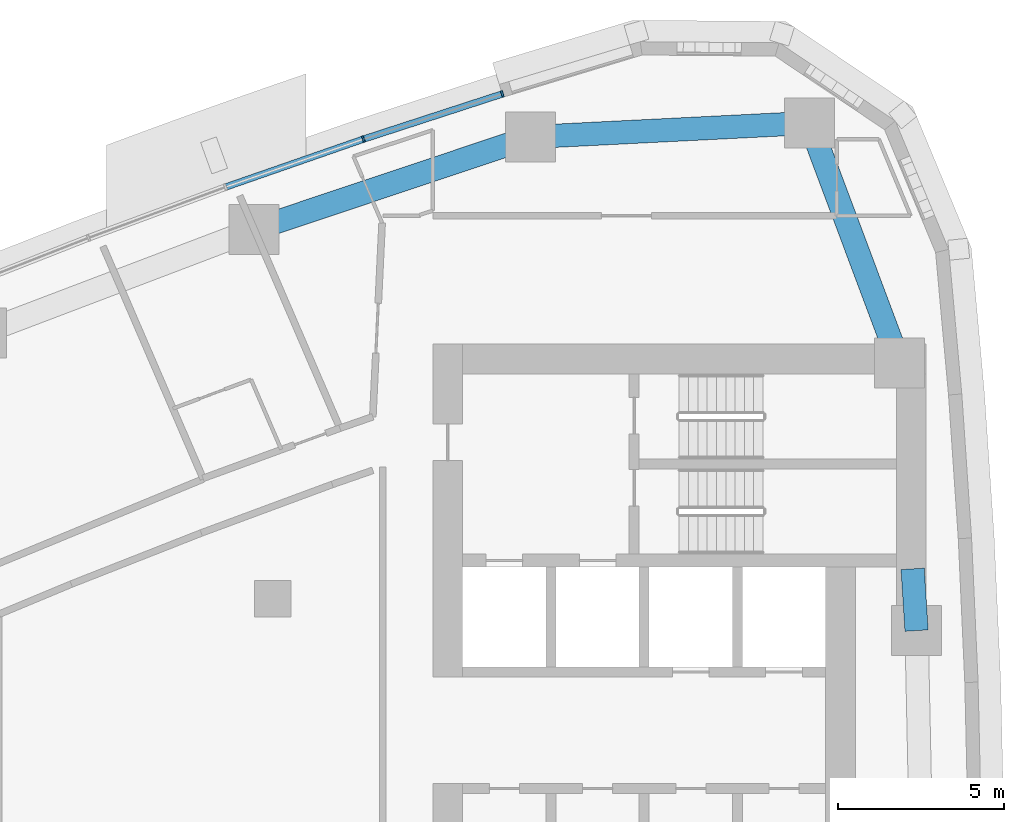
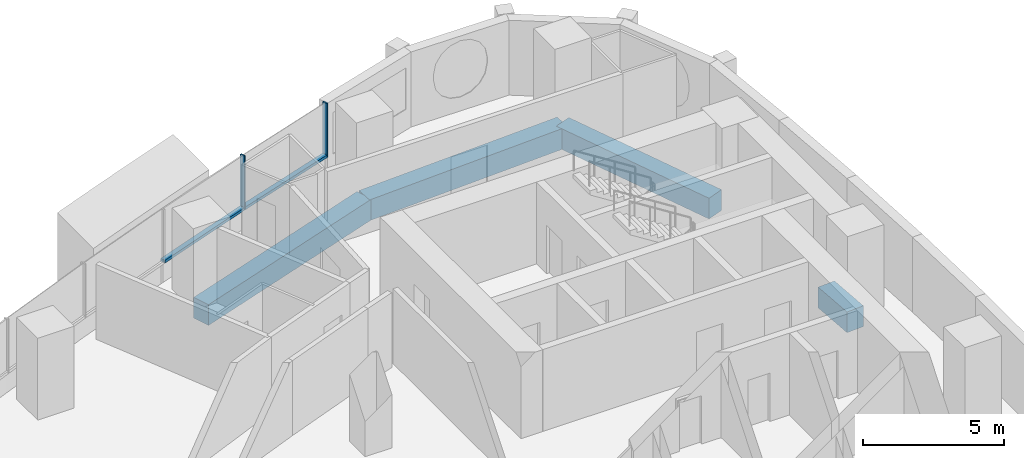
# One storey, part 6 of 16: 4 beams, 4 members, 1 element without a shape of its own.
"""IFC4 building model written with IfcOpenShell, lengths in metres."""

from ifc_helpers import new_model, si_unit, direction, frame, origin, origin_2d, place, context, subcontext, project, spatial, rectangle, extrude, material, layer, layer_set, material_profile, profile_set, type_object, element, aggregate, save


model = new_model("IFC4")

# Units and contexts
model_context = context("Model", 3, precision=1e-05, world=origin(), true_north=direction((0.0, 1.0)))
body_context = subcontext(model_context, "Body", "Model", "MODEL_VIEW")
ifc_project = project(units=[si_unit("LENGTHUNIT", "METRE"), si_unit("AREAUNIT", "SQUARE_METRE"), si_unit("VOLUMEUNIT", "CUBIC_METRE"), si_unit("PLANEANGLEUNIT", "RADIAN"), si_unit("MASSUNIT", "GRAM", prefix="KILO")], contexts=[model_context])

# Site, building, storey
site_placement = place(None, origin())
site = spatial("IfcSite", under=ifc_project, at=site_placement, CompositionType="ELEMENT")
building_placement = place(site_placement, origin())
building = spatial("IfcBuilding", under=site, at=building_placement, Name="Ostrand Prow Hotel Tower", CompositionType="ELEMENT")
storey_placement = place(building_placement, frame((0.0, 0.0, 147.949951171875)))
storey = spatial("IfcBuildingStorey", under=building, at=storey_placement, Name="L36", CompositionType="ELEMENT", Elevation=147.949951171875)

# Beams
ifc_material_1 = material(Name="Concrete C70/85", Category="concrete")
ifc_material_profile_1 = material_profile(ifc_material_1, rectangle(XDim=0.699951171875, YDim=0.89990234375, at=origin_2d()), Name="RC 700x900")
ifc_profile_set_1 = profile_set([ifc_material_profile_1], Name="Concrete C70/85")
beam_type = type_object("IfcBeamType", Name="Edge beam 700x900 C70/85", PredefinedType="SPANDREL", material=ifc_profile_set_1)
beam_1_placement = place(storey_placement, frame((64.32958984375, 8.044677734375, -0.75), z_axis=(-0.063563790544, 0.997977777574, 0.0), x_axis=(-0.997977777574, -0.063563790544, 0.0)))
element("IfcBeam", 1, at=beam_1_placement, inside=storey, type_object=beam_type, Name="Edge beam B4-B5", PredefinedType="SPANDREL", context=body_context, shape_type="SweptSolid", body=[
    extrude(rectangle(XDim=0.699951171875, YDim=0.89990234375, at=origin_2d()), origin(), (0.0, 0.0, 1.0), 1.85888671875),
])
beam_2_placement = place(storey_placement, frame((63.584716796875, 16.699951171875, -0.75), z_axis=(-0.350602524344, 0.93652435629, 0.0), x_axis=(-0.93652435629, -0.350602524344, 0.0)))
element("IfcBeam", 2, at=beam_2_placement, inside=storey, type_object=beam_type, Name="Edge beam B5-NE", PredefinedType="SPANDREL", context=body_context, shape_type="SweptSolid", body=[
    extrude(rectangle(XDim=0.699951171875, YDim=0.89990234375, at=origin_2d()), origin(), (0.0, 0.0, 1.0), 7.037353515625),
])
beam_3_placement = place(storey_placement, frame((61.117431640625, 23.29052734375, -0.75), z_axis=(-0.99873741544, -0.050235196825, 0.0), x_axis=(0.050235196825, -0.99873741544, 0.0)))
element("IfcBeam", 3, at=beam_3_placement, inside=storey, type_object=beam_type, Name="Edge beam NE-N1", PredefinedType="SPANDREL", context=body_context, shape_type="SweptSolid", body=[
    extrude(rectangle(XDim=0.699951171875, YDim=0.89990234375, at=origin_2d()), origin(), (0.0, 0.0, 1.0), 8.38818359375),
])
beam_4_placement = place(storey_placement, frame((52.73974609375, 22.869140625, -0.75), z_axis=(-0.948376051094, -0.317148018616, 0.0), x_axis=(0.317148018616, -0.948376051094, 0.0)))
element("IfcBeam", 4, at=beam_4_placement, inside=storey, type_object=beam_type, Name="Edge beam N1-N2", PredefinedType="SPANDREL", context=body_context, shape_type="SweptSolid", body=[
    extrude(rectangle(XDim=0.699951171875, YDim=0.89990234375, at=origin_2d()), origin(), (0.0, 0.0, 1.0), 8.75341796875),
])

# Curtain wall, members
ifc_material_2 = material(Name="Insulated glass in bronze anodised frame", Category="glass")
ifc_layer = layer(ifc_material_2, 0.199951171875)
ifc_layer_set = layer_set([ifc_layer], Name="Insulated glass in bronze anodised frame")
curtain_wall_type = type_object("IfcCurtainWallType", Name="Strip curtain wall, fritted glass over bronze spandrel", PredefinedType="NOTDEFINED", material=ifc_layer_set)
curtain_wall_placement = place(storey_placement, origin())
curtain_wall = element("IfcCurtainWall", 5, at=curtain_wall_placement, inside=storey, type_object=curtain_wall_type, Name="CW1 run CWN1", PredefinedType="NOTDEFINED")
ifc_material_3 = material(Name="Bronze anodised aluminium", Category="aluminium")
ifc_material_profile_2 = material_profile(ifc_material_3, rectangle(XDim=0.199951171875, YDim=0.06005859375, at=origin_2d()), Name="Mullion 60x200 bronze anodised aluminium")
ifc_profile_set_2 = profile_set([ifc_material_profile_2], Name="Bronze anodised aluminium")
member_type_1 = type_object("IfcMemberType", Name="Mullion 60x200 bronze anodised aluminium", PredefinedType="MULLION", material=ifc_profile_set_2)
member_1_placement = place(storey_placement, frame((51.888916015625, 24.16162109375, 0.900146484375), z_axis=(0.0, 0.0, 1.0), x_axis=(0.309380491373, -0.950938332153, 0.0)))
member_1 = element("IfcMember", 6, at=member_1_placement, type_object=member_type_1, Name="CW1 mullion 1", PredefinedType="MULLION", context=body_context, shape_type="SweptSolid", body=[
    extrude(rectangle(XDim=0.199951171875, YDim=0.06005859375, at=origin_2d()), origin(), (0.0, 0.0, 1.0), 2.349853515625),
])
member_2_placement = place(storey_placement, frame((47.718017578125, 22.8046875, 0.900146484375), z_axis=(0.0, 0.0, 1.0), x_axis=(0.328428177424, -0.944528947293, 0.0)))
member_2 = element("IfcMember", 7, at=member_2_placement, type_object=member_type_1, Name="CW1 mullion 2", PredefinedType="MULLION", context=body_context, shape_type="SweptSolid", body=[
    extrude(rectangle(XDim=0.199951171875, YDim=0.06005859375, at=origin_2d()), origin(), (0.0, 0.0, 1.0), 2.349853515625),
])
ifc_material_4 = material(Name="Bronze anodised aluminium", Category="aluminium")
ifc_material_profile_3 = material_profile(ifc_material_4, rectangle(XDim=0.199951171875, YDim=0.1201171875, at=origin_2d()), Name="Transom 120x200 bronze anodised aluminium")
ifc_profile_set_3 = profile_set([ifc_material_profile_3], Name="Bronze anodised aluminium")
member_type_2 = type_object("IfcMemberType", Name="Transom 120x200 bronze anodised aluminium", PredefinedType="USERDEFINED", material=ifc_profile_set_3)
member_3_placement = place(storey_placement, frame((51.8603515625, 24.15234375, 0.9599609375), z_axis=(-0.950938634958, -0.309379560643, 0.0), x_axis=(0.309379560643, -0.950938634958, 0.0)))
member_3 = element("IfcMember", 8, at=member_3_placement, type_object=member_type_2, Name="CW1 transom 1.1", ObjectType="TRANSOM", PredefinedType="USERDEFINED", context=body_context, shape_type="SweptSolid", body=[
    extrude(rectangle(XDim=0.199951171875, YDim=0.1201171875, at=origin_2d()), origin(), (0.0, 0.0, 1.0), 4.325927734375),
])
member_4_placement = place(storey_placement, frame((47.689697265625, 22.794921875, 0.9599609375), z_axis=(-0.944524201162, -0.328441826538, 0.0), x_axis=(0.328441826538, -0.944524201162, 0.0)))
member_4 = element("IfcMember", 9, at=member_4_placement, type_object=member_type_2, Name="CW1 transom 2.1", ObjectType="TRANSOM", PredefinedType="USERDEFINED", context=body_context, shape_type="SweptSolid", body=[
    extrude(rectangle(XDim=0.199951171875, YDim=0.1201171875, at=origin_2d()), origin(), (0.0, 0.0, 1.0), 4.326171875),
])
aggregate(curtain_wall, [member_1, member_2, member_3, member_4])

save(model, "model.ifc")
